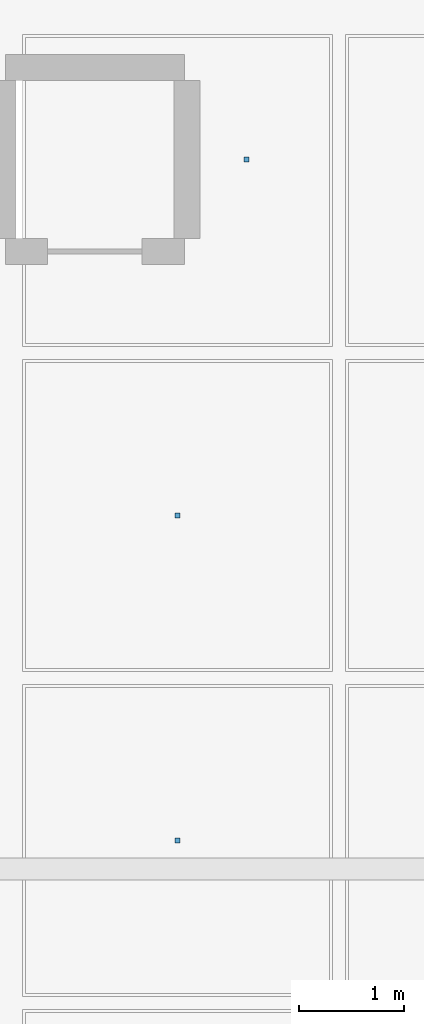
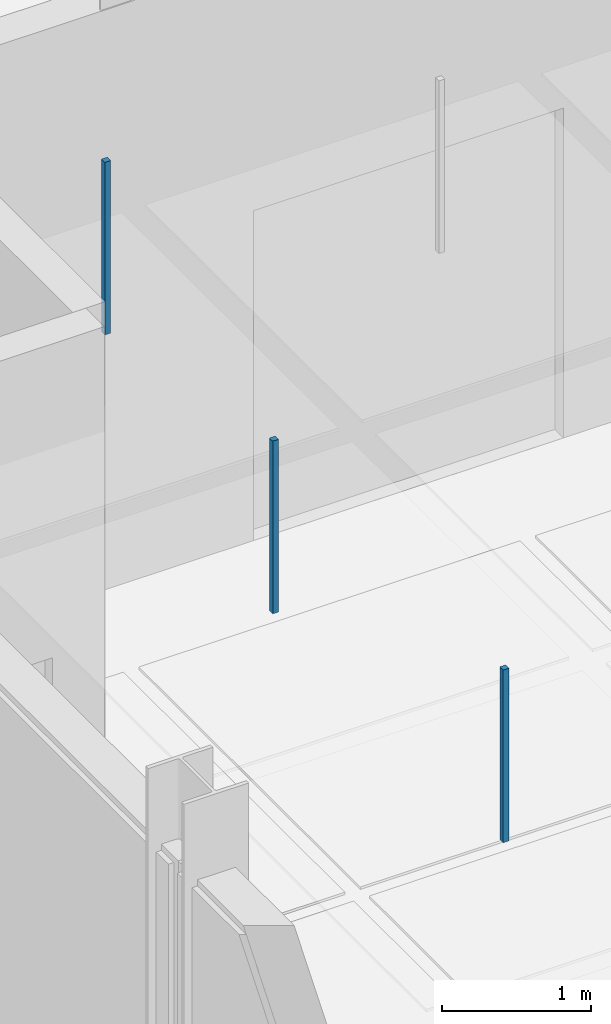
# One storey, part 106 of 180: 3 discrete accessories.
"""IFC4 building model written with IfcOpenShell, lengths in metres."""

import ifcopenshell
import ifcopenshell.guid

model = None  # the IFC model being written
_history = None  # IfcOwnerHistory: only IFC2X3 demands one
_inside = {}  # id of a spatial element -> (the spatial element, [elements in it])
_under = {}  # id of a project, library or spatial element -> (it, [spatial elements below it])
_declared = {}  # id of a project -> (the project, [libraries it declares])
_typed = {}  # id of a type object -> (the type object, [elements of that type])
_made_of = {}  # id of a material, layer set ... -> (it, [elements and type objects made of it])


def new_model(schema):
    """Start an empty IFC model of exactly this schema.

    Asked for "IFC4X3", IfcOpenShell would pick the latest addendum, in which some entities
    have other attributes; the version numbers below select the first issue.
    IFC2X3 requires an IfcOwnerHistory on every rooted entity: one is made here for all.
    """
    global model, _history
    if schema == "IFC4X3":
        model = ifcopenshell.file(schema_version=(4, 3, 0, 0))
    else:
        model = ifcopenshell.file(schema=schema)
    _inside.clear()
    _under.clear()
    _declared.clear()
    _typed.clear()
    _made_of.clear()
    _history = None
    if model.schema == "IFC2X3":
        org = make("IfcOrganization", Name="unknown")
        user = make(
            "IfcPersonAndOrganization",
            ThePerson=make("IfcPerson", FamilyName="unknown"),
            TheOrganization=org,
        )
        app = make(
            "IfcApplication",
            ApplicationDeveloper=org,
            Version="unknown",
            ApplicationFullName="unknown",
            ApplicationIdentifier="unknown",
        )
        _history = make(
            "IfcOwnerHistory",
            OwningUser=user,
            OwningApplication=app,
            ChangeAction="ADDED",
            CreationDate=0,
        )
    return model


def make(cls, **values):
    """One entity of the class cls with the attributes given. An attribute that is None is left unset."""
    return model.create_entity(
        cls, **{name: value for name, value in values.items() if value is not None}
    )


def rooted(cls, **values):
    """An entity with a GlobalId (a new one), such as an element, a storey or a relation."""
    return make(cls, GlobalId=ifcopenshell.guid.new(), OwnerHistory=_history, **values)


def si_unit(unit_type, name, prefix=None):
    """IfcSIUnit, for example si_unit("LENGTHUNIT", "METRE", prefix="MILLI")."""
    return make("IfcSIUnit", UnitType=unit_type, Prefix=prefix, Name=name)


def assignment(units):
    """IfcUnitAssignment: the units of a project."""
    return None if units is None else make("IfcUnitAssignment", Units=units)


def point(xyz):
    """IfcCartesianPoint."""
    return None if xyz is None else make("IfcCartesianPoint", Coordinates=xyz)


def direction(xyz):
    """IfcDirection."""
    return None if xyz is None else make("IfcDirection", DirectionRatios=xyz)


def frame(location, z_axis=None, x_axis=None):
    """IfcAxis2Placement3D, a coordinate frame: its origin and axes. An axis left out is left unset."""
    return make(
        "IfcAxis2Placement3D",
        Location=point(location),
        Axis=direction(z_axis),
        RefDirection=direction(x_axis),
    )


def frame_2d(location, x_axis=None):
    """IfcAxis2Placement2D, a coordinate frame in the plane: its origin and x axis."""
    return make(
        "IfcAxis2Placement2D", Location=point(location), RefDirection=direction(x_axis)
    )


def origin():
    """The frame at (0, 0, 0) with its axes left unset."""
    return frame((0.0, 0.0, 0.0))


def origin_2d():
    """The frame at (0, 0) in the plane with its x axis left unset."""
    return frame_2d((0.0, 0.0))


def place(relative_to, where):
    """IfcLocalPlacement: puts the frame where relative to a parent placement (None: the world)."""
    return make(
        "IfcLocalPlacement", PlacementRelTo=relative_to, RelativePlacement=where
    )


def context(
    kind, dimensions, precision=None, world=None, true_north=None, identifier=None
):
    """IfcGeometricRepresentationContext, for example the 3D "Model" context."""
    return make(
        "IfcGeometricRepresentationContext",
        ContextIdentifier=identifier,
        ContextType=kind,
        CoordinateSpaceDimension=dimensions,
        Precision=precision,
        WorldCoordinateSystem=world,
        TrueNorth=true_north,
    )


def subcontext(parent, identifier, kind, view, scale=None):
    """IfcGeometricRepresentationSubContext, for example "Body" below "Model"."""
    return make(
        "IfcGeometricRepresentationSubContext",
        ContextIdentifier=identifier,
        ContextType=kind,
        ParentContext=parent,
        TargetScale=scale,
        TargetView=view,
    )


def project(units=None, contexts=None):
    """IfcProject with its units and contexts."""
    return rooted(
        "IfcProject",
        Name="project",
        RepresentationContexts=contexts,
        UnitsInContext=assignment(units),
    )


def spatial(cls, under=None, at=None, **own):
    """A site, building, storey or space (cls), placed at a placement, below another one or the project."""
    s = rooted(cls, ObjectPlacement=at, **own)
    if under is not None:
        _under.setdefault(under.id(), (under, []))[1].append(s)
    return s


def profile(cls, at=None, kind="AREA", **sizes):
    """A parametric profile (cls). Its sizes go by their IFC names, for example OverallWidth=200.0."""
    return make(cls, ProfileType=kind, Position=at, **sizes)


def rectangle(**sizes):
    """IfcRectangleProfileDef."""
    return profile("IfcRectangleProfileDef", **sizes)


def extrude(swept, where, along, depth):
    """IfcExtrudedAreaSolid: the profile swept, set in the frame where, extruded along a direction by depth."""
    return make(
        "IfcExtrudedAreaSolid",
        SweptArea=swept,
        Position=where,
        ExtrudedDirection=direction(along),
        Depth=depth,
    )


def shape(context_of_items, identifier, shape_type, items):
    """IfcShapeRepresentation: the items that make up one representation, for example the "Body"."""
    return make(
        "IfcShapeRepresentation",
        ContextOfItems=context_of_items,
        RepresentationIdentifier=identifier,
        RepresentationType=shape_type,
        Items=items,
    )


def material(Name=None, Category=None):
    """IfcMaterial."""
    return make("IfcMaterial", Name=Name, Category=Category)


def made_of(thing, what):
    """Note that an element or type object is made of a material, layer set ...; save() writes the relation."""
    if what is not None:
        _made_of.setdefault(what.id(), (what, []))[1].append(thing)
    return thing


def type_object(cls, material=None, **own):
    """A type object (cls), such as IfcWallType, which elements share."""
    return made_of(rooted(cls, **own), material)


def element(
    cls,
    number,
    at=None,
    inside=None,
    cuts=None,
    type_object=None,
    material=None,
    context=None,
    identifier="Body",
    shape_type=None,
    held_by="IfcProductDefinitionShape",
    body=None,
    shapes=None,
    **own,
):
    """One element of the class cls, such as IfcWall. Its Tag is "e" and its number.

    at: its placement. inside: the storey or other place that contains it. cuts: it is an
    opening in that element (IfcRelVoidsElement). A single representation is given by context,
    identifier, shape_type and body (its items); several are given by shapes. held_by: the class
    of the entity that holds the representations. save() writes the other relations.
    """
    e = rooted(cls, Tag="e%d" % number, ObjectPlacement=at, **own)
    if body is not None:
        shapes = [shape(context, identifier, shape_type, body)]
    if shapes is not None:
        e.Representation = make(held_by, Representations=shapes)
    if inside is not None:
        _inside.setdefault(inside.id(), (inside, []))[1].append(e)
    if cuts is not None:
        rooted(
            "IfcRelVoidsElement", RelatingBuildingElement=cuts, RelatedOpeningElement=e
        )
    if type_object is not None:
        _typed.setdefault(type_object.id(), (type_object, []))[1].append(e)
    return made_of(e, material)


def aggregate(whole, parts):
    """IfcRelAggregates: a whole, such as a stair, and the parts it consists of."""
    return rooted("IfcRelAggregates", RelatingObject=whole, RelatedObjects=parts)


def save(model, path):
    """Write the relations noted so far, then the file.

    IfcRelAggregates (storeys below a building ...), IfcRelContainedInSpatialStructure (elements
    in a storey), IfcRelDefinesByType, IfcRelAssociatesMaterial and IfcRelDeclares: one each for
    every whole, place, type object, material and project.
    """
    for whole, parts in _under.values():
        aggregate(whole, parts)
    for where, things in _inside.values():
        rooted(
            "IfcRelContainedInSpatialStructure",
            RelatedElements=things,
            RelatingStructure=where,
        )
    for kind, things in _typed.values():
        rooted("IfcRelDefinesByType", RelatedObjects=things, RelatingType=kind)
    for what, things in _made_of.values():
        rooted("IfcRelAssociatesMaterial", RelatedObjects=things, RelatingMaterial=what)
    for by, libraries in _declared.values():
        rooted("IfcRelDeclares", RelatingContext=by, RelatedDefinitions=libraries)
    model.write(path)


model = new_model("IFC4")

# Units and contexts
model_context = context("Model", 3, precision=1e-05, world=origin(), true_north=direction((0.0, 1.0)))
body_context = subcontext(model_context, "Body", "Model", "MODEL_VIEW")
ifc_project = project(units=[si_unit("LENGTHUNIT", "METRE"), si_unit("AREAUNIT", "SQUARE_METRE"), si_unit("VOLUMEUNIT", "CUBIC_METRE"), si_unit("PLANEANGLEUNIT", "RADIAN"), si_unit("MASSUNIT", "GRAM", prefix="KILO"), si_unit("THERMODYNAMICTEMPERATUREUNIT", "KELVIN"), si_unit("POWERUNIT", "WATT")], contexts=[model_context])

# Site, building, storey
site_placement = place(None, origin())
site = spatial("IfcSite", under=ifc_project, at=site_placement, CompositionType="ELEMENT")
building_placement = place(site_placement, origin())
building = spatial("IfcBuilding", under=site, at=building_placement, Name="Tallowbark Science Centre", CompositionType="ELEMENT")
storey_placement = place(building_placement, origin())
storey = spatial("IfcBuildingStorey", under=building, at=storey_placement, Name="L00", CompositionType="ELEMENT", Elevation=0.0)

# Discrete accessories
ifc_material = material(Name="Galvanised Steel Grade C350L0 (350 MPa)", Category="steel")
discrete_accessory_type = type_object("IfcDiscreteAccessoryType", Name="ACC-CLG-HNG", PredefinedType="BRACKET", material=ifc_material)
for number, where, z_axis, x_axis, name in (
    (1, (61.03564453125, 31.772705078125, 3.8095703125), (0.0, 0.0, 1.0), (1.0, 0.0, 0.0), "Ceiling Hanger Bracket L00-80"),
    (2, (61.03564453125, 34.863525390625, 3.8095703125), (0.0, 0.0, 1.0), (1.0, 0.0, 0.0), "Ceiling Hanger Bracket L00-81"),
    (3, (61.690673828125, 38.25, 3.8095703125), (0.0, 0.0, 1.0), (1.0, 0.0, 0.0), "Ceiling Hanger Bracket L00-82"),
):
    element("IfcDiscreteAccessory", number, at=place(storey_placement, frame(where, z_axis=z_axis, x_axis=x_axis)), inside=storey, type_object=discrete_accessory_type, Name=name, PredefinedType="BRACKET", context=body_context, shape_type="SweptSolid", body=[
        extrude(rectangle(XDim=0.044921875, YDim=0.044921875, at=origin_2d()), origin(), (0.0, 0.0, 1.0), 1.41357421875),
    ])

save(model, "model.ifc")
